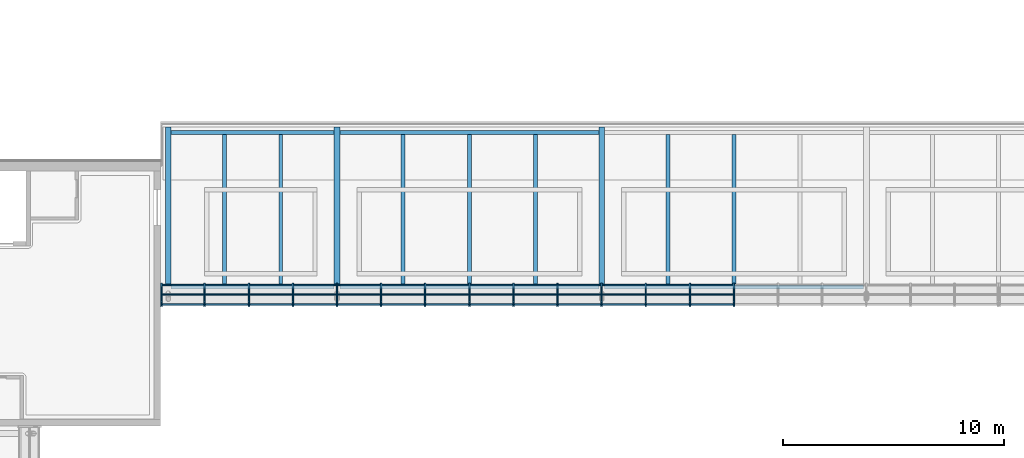
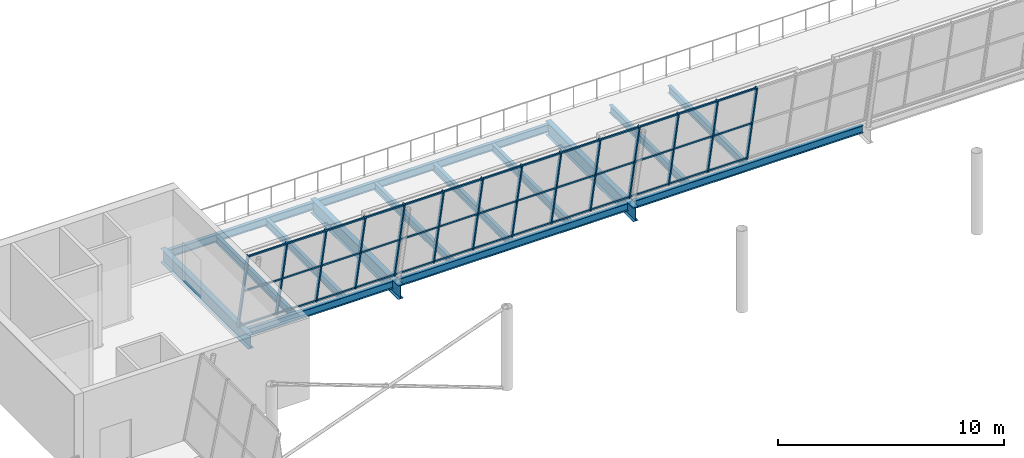
# One storey, part 19 of 58: 53 members, 15 beams, 1 element without a shape of its own.
"""IFC4 building model written with IfcOpenShell, lengths in metres."""

from ifc_helpers import new_model, si_unit, direction, frame, origin, origin_2d, place, context, subcontext, project, spatial, rectangle, i_section, extrude, material, layer, layer_set, material_profile, profile_set, type_object, element, aggregate, save


model = new_model("IFC4")

# Units and contexts
model_context = context("Model", 3, precision=1e-05, world=origin(), true_north=direction((0.0, 1.0)))
body_context = subcontext(model_context, "Body", "Model", "MODEL_VIEW")
ifc_project = project(units=[si_unit("LENGTHUNIT", "METRE"), si_unit("AREAUNIT", "SQUARE_METRE"), si_unit("VOLUMEUNIT", "CUBIC_METRE"), si_unit("PLANEANGLEUNIT", "RADIAN"), si_unit("MASSUNIT", "GRAM", prefix="KILO")], contexts=[model_context])

# Site, building, storey
site_placement = place(None, origin())
site = spatial("IfcSite", under=ifc_project, at=site_placement, CompositionType="ELEMENT")
building_placement = place(site_placement, origin())
building = spatial("IfcBuilding", under=site, at=building_placement, Name="Windward Yard Aquatics Centre", CompositionType="ELEMENT")
storey_placement = place(building_placement, frame((0.0, 0.0, 13.800048828125)))
storey = spatial("IfcBuildingStorey", under=building, at=storey_placement, Name="L03", CompositionType="ELEMENT", Elevation=13.800048828125)

# Curtain wall, members
ifc_material_1 = material(Name="Glass and aluminium curtain wall", Category="aluminium")
ifc_layer = layer(ifc_material_1, 0.179931640625)
ifc_layer_set = layer_set([ifc_layer], Name="H curtain wall tier 2 double glazed 6+16+6")
curtain_wall_type = type_object("IfcCurtainWallType", Name="H curtain wall tier 2 double glazed 6+16+6", PredefinedType="NOTDEFINED", material=ifc_layer_set)
curtain_wall_placement = place(storey_placement, origin())
curtain_wall = element("IfcCurtainWall", 1, at=curtain_wall_placement, inside=storey, type_object=curtain_wall_type, Name="Tier 2 glazing N L03", PredefinedType="NOTDEFINED")
ifc_material_2 = material(Name="Aluminium 6063-T6 anodised", Category="aluminium")
ifc_material_profile_1 = material_profile(ifc_material_2, rectangle(XDim=0.06494140625, YDim=0.179931640625, at=origin_2d()), Name="H CW mullion 65x180")
ifc_profile_set_1 = profile_set([ifc_material_profile_1], Name="Aluminium 6063-T6 anodised")
member_type_1 = type_object("IfcMemberType", Name="H CW mullion 65x180", PredefinedType="MULLION", material=ifc_profile_set_1)
member_1_placement = place(storey_placement, frame((64.032470703125, 90.38623046875, 0.017822265625), z_axis=(0.0, -0.199327811945, 0.979932866775), x_axis=(1.0, 0.0, 0.0)))
member_1 = element("IfcMember", 2, at=member_1_placement, type_object=member_type_1, Name="G2NA mullion 1", PredefinedType="MULLION", context=body_context, shape_type="SweptSolid", body=[
    extrude(rectangle(XDim=0.06494140625, YDim=0.179931640625, at=origin_2d()), origin(), (0.0, 0.0, 1.0), 4.471923828125),
])
member_2_placement = place(storey_placement, frame((65.999755859375, 90.38623046875, 0.017822265625), z_axis=(0.0, -0.199327811945, 0.979932866775), x_axis=(1.0, 0.0, 0.0)))
member_2 = element("IfcMember", 3, at=member_2_placement, type_object=member_type_1, Name="G2NA mullion 2", PredefinedType="MULLION", context=body_context, shape_type="SweptSolid", body=[
    extrude(rectangle(XDim=0.06494140625, YDim=0.179931640625, at=origin_2d()), origin(), (0.0, 0.0, 1.0), 4.471923828125),
])
member_3_placement = place(storey_placement, frame((67.99951171875, 90.38623046875, 0.017822265625), z_axis=(0.0, -0.199327811945, 0.979932866775), x_axis=(1.0, 0.0, 0.0)))
member_3 = element("IfcMember", 4, at=member_3_placement, type_object=member_type_1, Name="G2NA mullion 3", PredefinedType="MULLION", context=body_context, shape_type="SweptSolid", body=[
    extrude(rectangle(XDim=0.06494140625, YDim=0.179931640625, at=origin_2d()), origin(), (0.0, 0.0, 1.0), 4.471923828125),
])
member_4_placement = place(storey_placement, frame((69.999267578125, 90.38623046875, 0.017822265625), z_axis=(0.0, -0.199327811945, 0.979932866775), x_axis=(1.0, 0.0, 0.0)))
member_4 = element("IfcMember", 5, at=member_4_placement, type_object=member_type_1, Name="G2NA mullion 4", PredefinedType="MULLION", context=body_context, shape_type="SweptSolid", body=[
    extrude(rectangle(XDim=0.06494140625, YDim=0.179931640625, at=origin_2d()), origin(), (0.0, 0.0, 1.0), 4.471923828125),
])
member_5_placement = place(storey_placement, frame((71.9990234375, 90.38623046875, 0.017822265625), z_axis=(0.0, -0.199327811945, 0.979932866775), x_axis=(1.0, 0.0, 0.0)))
member_5 = element("IfcMember", 6, at=member_5_placement, type_object=member_type_1, Name="G2NA mullion 5", PredefinedType="MULLION", context=body_context, shape_type="SweptSolid", body=[
    extrude(rectangle(XDim=0.06494140625, YDim=0.179931640625, at=origin_2d()), origin(), (0.0, 0.0, 1.0), 4.471923828125),
])
member_6_placement = place(storey_placement, frame((73.998779296875, 90.38623046875, 0.017822265625), z_axis=(0.0, -0.199327811945, 0.979932866775), x_axis=(1.0, 0.0, 0.0)))
member_6 = element("IfcMember", 7, at=member_6_placement, type_object=member_type_1, Name="G2NA mullion 6", PredefinedType="MULLION", context=body_context, shape_type="SweptSolid", body=[
    extrude(rectangle(XDim=0.06494140625, YDim=0.179931640625, at=origin_2d()), origin(), (0.0, 0.0, 1.0), 4.471923828125),
])
member_7_placement = place(storey_placement, frame((75.99853515625, 90.38623046875, 0.017822265625), z_axis=(0.0, -0.199327811945, 0.979932866775), x_axis=(1.0, 0.0, 0.0)))
member_7 = element("IfcMember", 8, at=member_7_placement, type_object=member_type_1, Name="G2NA mullion 7", PredefinedType="MULLION", context=body_context, shape_type="SweptSolid", body=[
    extrude(rectangle(XDim=0.06494140625, YDim=0.179931640625, at=origin_2d()), origin(), (0.0, 0.0, 1.0), 4.471923828125),
])
member_8_placement = place(storey_placement, frame((77.998046875, 90.38623046875, 0.017822265625), z_axis=(0.0, -0.199327811945, 0.979932866775), x_axis=(1.0, 0.0, 0.0)))
member_8 = element("IfcMember", 9, at=member_8_placement, type_object=member_type_1, Name="G2NA mullion 8", PredefinedType="MULLION", context=body_context, shape_type="SweptSolid", body=[
    extrude(rectangle(XDim=0.06494140625, YDim=0.179931640625, at=origin_2d()), origin(), (0.0, 0.0, 1.0), 4.471923828125),
])
member_9_placement = place(storey_placement, frame((79.997802734375, 90.38623046875, 0.017822265625), z_axis=(0.0, -0.199327811945, 0.979932866775), x_axis=(1.0, 0.0, 0.0)))
member_9 = element("IfcMember", 10, at=member_9_placement, type_object=member_type_1, Name="G2NA mullion 9", PredefinedType="MULLION", context=body_context, shape_type="SweptSolid", body=[
    extrude(rectangle(XDim=0.06494140625, YDim=0.179931640625, at=origin_2d()), origin(), (0.0, 0.0, 1.0), 4.471923828125),
])
member_10_placement = place(storey_placement, frame((81.99755859375, 90.38623046875, 0.017822265625), z_axis=(0.0, -0.199327811945, 0.979932866775), x_axis=(1.0, 0.0, 0.0)))
member_10 = element("IfcMember", 11, at=member_10_placement, type_object=member_type_1, Name="G2NA mullion 10", PredefinedType="MULLION", context=body_context, shape_type="SweptSolid", body=[
    extrude(rectangle(XDim=0.06494140625, YDim=0.179931640625, at=origin_2d()), origin(), (0.0, 0.0, 1.0), 4.471923828125),
])
member_11_placement = place(storey_placement, frame((83.997314453125, 90.38623046875, 0.017822265625), z_axis=(0.0, -0.199327811945, 0.979932866775), x_axis=(1.0, 0.0, 0.0)))
member_11 = element("IfcMember", 12, at=member_11_placement, type_object=member_type_1, Name="G2NA mullion 11", PredefinedType="MULLION", context=body_context, shape_type="SweptSolid", body=[
    extrude(rectangle(XDim=0.06494140625, YDim=0.179931640625, at=origin_2d()), origin(), (0.0, 0.0, 1.0), 4.471923828125),
])
member_12_placement = place(storey_placement, frame((85.9970703125, 90.38623046875, 0.017822265625), z_axis=(0.0, -0.199327811945, 0.979932866775), x_axis=(1.0, 0.0, 0.0)))
member_12 = element("IfcMember", 13, at=member_12_placement, type_object=member_type_1, Name="G2NA mullion 12", PredefinedType="MULLION", context=body_context, shape_type="SweptSolid", body=[
    extrude(rectangle(XDim=0.06494140625, YDim=0.179931640625, at=origin_2d()), origin(), (0.0, 0.0, 1.0), 4.471923828125),
])
member_13_placement = place(storey_placement, frame((87.996826171875, 90.38623046875, 0.017822265625), z_axis=(0.0, -0.199327811945, 0.979932866775), x_axis=(1.0, 0.0, 0.0)))
member_13 = element("IfcMember", 14, at=member_13_placement, type_object=member_type_1, Name="G2NA mullion 13", PredefinedType="MULLION", context=body_context, shape_type="SweptSolid", body=[
    extrude(rectangle(XDim=0.06494140625, YDim=0.179931640625, at=origin_2d()), origin(), (0.0, 0.0, 1.0), 4.471923828125),
])
member_14_placement = place(storey_placement, frame((89.99658203125, 90.38623046875, 0.017822265625), z_axis=(0.0, -0.199327811945, 0.979932866775), x_axis=(1.0, 0.0, 0.0)))
member_14 = element("IfcMember", 15, at=member_14_placement, type_object=member_type_1, Name="G2NA mullion 14", PredefinedType="MULLION", context=body_context, shape_type="SweptSolid", body=[
    extrude(rectangle(XDim=0.06494140625, YDim=0.179931640625, at=origin_2d()), origin(), (0.0, 0.0, 1.0), 4.471923828125),
])
ifc_material_profile_2 = material_profile(ifc_material_2, rectangle(XDim=0.06494140625, YDim=0.10009765625, at=origin_2d()), Name="H CW transom 65x100")
ifc_profile_set_2 = profile_set([ifc_material_profile_2], Name="Aluminium 6063-T6 anodised")
member_type_2 = type_object("IfcMemberType", Name="H CW transom 65x100", PredefinedType="USERDEFINED", material=ifc_profile_set_2)
member_15_placement = place(storey_placement, frame((64.06494140625, 90.378662109375, 0.055419921875), z_axis=(1.0, 0.0, 0.0), x_axis=(0.0, 0.979924704642, 0.199367934315)))
member_15 = element("IfcMember", 16, at=member_15_placement, type_object=member_type_2, Name="G2NA transom 1.1", ObjectType="TRANSOM", PredefinedType="USERDEFINED", context=body_context, shape_type="SweptSolid", body=[
    extrude(rectangle(XDim=0.06494140625, YDim=0.10009765625, at=origin_2d()), origin(), (0.0, 0.0, 1.0), 1.90234375),
])
member_16_placement = place(storey_placement, frame((64.06494140625, 89.9423828125, 2.199951171875), z_axis=(1.0, 0.0, 0.0), x_axis=(0.0, 0.979924704642, 0.199367934315)))
member_16 = element("IfcMember", 17, at=member_16_placement, type_object=member_type_2, Name="G2NA transom 1.2", ObjectType="TRANSOM", PredefinedType="USERDEFINED", context=body_context, shape_type="SweptSolid", body=[
    extrude(rectangle(XDim=0.06494140625, YDim=0.10009765625, at=origin_2d()), origin(), (0.0, 0.0, 1.0), 1.90234375),
])
member_17_placement = place(storey_placement, frame((64.06494140625, 89.5048828125, 4.35107421875), z_axis=(1.0, 0.0, 0.0), x_axis=(0.0, 0.979924704642, 0.199367934315)))
member_17 = element("IfcMember", 18, at=member_17_placement, type_object=member_type_2, Name="G2NA transom 1.3", ObjectType="TRANSOM", PredefinedType="USERDEFINED", context=body_context, shape_type="SweptSolid", body=[
    extrude(rectangle(XDim=0.06494140625, YDim=0.10009765625, at=origin_2d()), origin(), (0.0, 0.0, 1.0), 1.90234375),
])
member_18_placement = place(storey_placement, frame((66.0322265625, 90.378662109375, 0.055419921875), z_axis=(1.0, 0.0, 0.0), x_axis=(0.0, 0.979924704642, 0.199367934315)))
member_18 = element("IfcMember", 19, at=member_18_placement, type_object=member_type_2, Name="G2NA transom 2.1", ObjectType="TRANSOM", PredefinedType="USERDEFINED", context=body_context, shape_type="SweptSolid", body=[
    extrude(rectangle(XDim=0.06494140625, YDim=0.10009765625, at=origin_2d()), origin(), (0.0, 0.0, 1.0), 1.934814453125),
])
member_19_placement = place(storey_placement, frame((66.0322265625, 89.9423828125, 2.199951171875), z_axis=(1.0, 0.0, 0.0), x_axis=(0.0, 0.979924704642, 0.199367934315)))
member_19 = element("IfcMember", 20, at=member_19_placement, type_object=member_type_2, Name="G2NA transom 2.2", ObjectType="TRANSOM", PredefinedType="USERDEFINED", context=body_context, shape_type="SweptSolid", body=[
    extrude(rectangle(XDim=0.06494140625, YDim=0.10009765625, at=origin_2d()), origin(), (0.0, 0.0, 1.0), 1.934814453125),
])
member_20_placement = place(storey_placement, frame((66.0322265625, 89.5048828125, 4.35107421875), z_axis=(1.0, 0.0, 0.0), x_axis=(0.0, 0.979924704642, 0.199367934315)))
member_20 = element("IfcMember", 21, at=member_20_placement, type_object=member_type_2, Name="G2NA transom 2.3", ObjectType="TRANSOM", PredefinedType="USERDEFINED", context=body_context, shape_type="SweptSolid", body=[
    extrude(rectangle(XDim=0.06494140625, YDim=0.10009765625, at=origin_2d()), origin(), (0.0, 0.0, 1.0), 1.934814453125),
])
member_21_placement = place(storey_placement, frame((68.031982421875, 90.378662109375, 0.055419921875), z_axis=(1.0, 0.0, 0.0), x_axis=(0.0, 0.979924704642, 0.199367934315)))
member_21 = element("IfcMember", 22, at=member_21_placement, type_object=member_type_2, Name="G2NA transom 3.1", ObjectType="TRANSOM", PredefinedType="USERDEFINED", context=body_context, shape_type="SweptSolid", body=[
    extrude(rectangle(XDim=0.06494140625, YDim=0.10009765625, at=origin_2d()), origin(), (0.0, 0.0, 1.0), 1.934814453125),
])
member_22_placement = place(storey_placement, frame((68.031982421875, 89.9423828125, 2.199951171875), z_axis=(1.0, 0.0, 0.0), x_axis=(0.0, 0.979924704642, 0.199367934315)))
member_22 = element("IfcMember", 23, at=member_22_placement, type_object=member_type_2, Name="G2NA transom 3.2", ObjectType="TRANSOM", PredefinedType="USERDEFINED", context=body_context, shape_type="SweptSolid", body=[
    extrude(rectangle(XDim=0.06494140625, YDim=0.10009765625, at=origin_2d()), origin(), (0.0, 0.0, 1.0), 1.934814453125),
])
member_23_placement = place(storey_placement, frame((68.031982421875, 89.5048828125, 4.35107421875), z_axis=(1.0, 0.0, 0.0), x_axis=(0.0, 0.979924704642, 0.199367934315)))
member_23 = element("IfcMember", 24, at=member_23_placement, type_object=member_type_2, Name="G2NA transom 3.3", ObjectType="TRANSOM", PredefinedType="USERDEFINED", context=body_context, shape_type="SweptSolid", body=[
    extrude(rectangle(XDim=0.06494140625, YDim=0.10009765625, at=origin_2d()), origin(), (0.0, 0.0, 1.0), 1.934814453125),
])
member_24_placement = place(storey_placement, frame((70.03173828125, 90.378662109375, 0.055419921875), z_axis=(1.0, 0.0, 0.0), x_axis=(0.0, 0.979924704642, 0.199367934315)))
member_24 = element("IfcMember", 25, at=member_24_placement, type_object=member_type_2, Name="G2NA transom 4.1", ObjectType="TRANSOM", PredefinedType="USERDEFINED", context=body_context, shape_type="SweptSolid", body=[
    extrude(rectangle(XDim=0.06494140625, YDim=0.10009765625, at=origin_2d()), origin(), (0.0, 0.0, 1.0), 1.934814453125),
])
member_25_placement = place(storey_placement, frame((70.03173828125, 89.9423828125, 2.199951171875), z_axis=(1.0, 0.0, 0.0), x_axis=(0.0, 0.979924704642, 0.199367934315)))
member_25 = element("IfcMember", 26, at=member_25_placement, type_object=member_type_2, Name="G2NA transom 4.2", ObjectType="TRANSOM", PredefinedType="USERDEFINED", context=body_context, shape_type="SweptSolid", body=[
    extrude(rectangle(XDim=0.06494140625, YDim=0.10009765625, at=origin_2d()), origin(), (0.0, 0.0, 1.0), 1.934814453125),
])
member_26_placement = place(storey_placement, frame((70.03173828125, 89.5048828125, 4.35107421875), z_axis=(1.0, 0.0, 0.0), x_axis=(0.0, 0.979924704642, 0.199367934315)))
member_26 = element("IfcMember", 27, at=member_26_placement, type_object=member_type_2, Name="G2NA transom 4.3", ObjectType="TRANSOM", PredefinedType="USERDEFINED", context=body_context, shape_type="SweptSolid", body=[
    extrude(rectangle(XDim=0.06494140625, YDim=0.10009765625, at=origin_2d()), origin(), (0.0, 0.0, 1.0), 1.934814453125),
])
member_27_placement = place(storey_placement, frame((72.031494140625, 90.378662109375, 0.055419921875), z_axis=(1.0, 0.0, 0.0), x_axis=(0.0, 0.979924704642, 0.199367934315)))
member_27 = element("IfcMember", 28, at=member_27_placement, type_object=member_type_2, Name="G2NA transom 5.1", ObjectType="TRANSOM", PredefinedType="USERDEFINED", context=body_context, shape_type="SweptSolid", body=[
    extrude(rectangle(XDim=0.06494140625, YDim=0.10009765625, at=origin_2d()), origin(), (0.0, 0.0, 1.0), 1.9345703125),
])
member_28_placement = place(storey_placement, frame((72.031494140625, 89.9423828125, 2.199951171875), z_axis=(1.0, 0.0, 0.0), x_axis=(0.0, 0.979924704642, 0.199367934315)))
member_28 = element("IfcMember", 29, at=member_28_placement, type_object=member_type_2, Name="G2NA transom 5.2", ObjectType="TRANSOM", PredefinedType="USERDEFINED", context=body_context, shape_type="SweptSolid", body=[
    extrude(rectangle(XDim=0.06494140625, YDim=0.10009765625, at=origin_2d()), origin(), (0.0, 0.0, 1.0), 1.9345703125),
])
member_29_placement = place(storey_placement, frame((72.031494140625, 89.5048828125, 4.35107421875), z_axis=(1.0, 0.0, 0.0), x_axis=(0.0, 0.979924704642, 0.199367934315)))
member_29 = element("IfcMember", 30, at=member_29_placement, type_object=member_type_2, Name="G2NA transom 5.3", ObjectType="TRANSOM", PredefinedType="USERDEFINED", context=body_context, shape_type="SweptSolid", body=[
    extrude(rectangle(XDim=0.06494140625, YDim=0.10009765625, at=origin_2d()), origin(), (0.0, 0.0, 1.0), 1.9345703125),
])
member_30_placement = place(storey_placement, frame((74.03125, 90.378662109375, 0.055419921875), z_axis=(1.0, 0.0, 0.0), x_axis=(0.0, 0.979924704642, 0.199367934315)))
member_30 = element("IfcMember", 31, at=member_30_placement, type_object=member_type_2, Name="G2NA transom 6.1", ObjectType="TRANSOM", PredefinedType="USERDEFINED", context=body_context, shape_type="SweptSolid", body=[
    extrude(rectangle(XDim=0.06494140625, YDim=0.10009765625, at=origin_2d()), origin(), (0.0, 0.0, 1.0), 1.9345703125),
])
member_31_placement = place(storey_placement, frame((74.03125, 89.9423828125, 2.199951171875), z_axis=(1.0, 0.0, 0.0), x_axis=(0.0, 0.979924704642, 0.199367934315)))
member_31 = element("IfcMember", 32, at=member_31_placement, type_object=member_type_2, Name="G2NA transom 6.2", ObjectType="TRANSOM", PredefinedType="USERDEFINED", context=body_context, shape_type="SweptSolid", body=[
    extrude(rectangle(XDim=0.06494140625, YDim=0.10009765625, at=origin_2d()), origin(), (0.0, 0.0, 1.0), 1.9345703125),
])
member_32_placement = place(storey_placement, frame((74.03125, 89.5048828125, 4.35107421875), z_axis=(1.0, 0.0, 0.0), x_axis=(0.0, 0.979924704642, 0.199367934315)))
member_32 = element("IfcMember", 33, at=member_32_placement, type_object=member_type_2, Name="G2NA transom 6.3", ObjectType="TRANSOM", PredefinedType="USERDEFINED", context=body_context, shape_type="SweptSolid", body=[
    extrude(rectangle(XDim=0.06494140625, YDim=0.10009765625, at=origin_2d()), origin(), (0.0, 0.0, 1.0), 1.9345703125),
])
member_33_placement = place(storey_placement, frame((76.031005859375, 90.378662109375, 0.055419921875), z_axis=(1.0, 0.0, 0.0), x_axis=(0.0, 0.979924704642, 0.199367934315)))
member_33 = element("IfcMember", 34, at=member_33_placement, type_object=member_type_2, Name="G2NA transom 7.1", ObjectType="TRANSOM", PredefinedType="USERDEFINED", context=body_context, shape_type="SweptSolid", body=[
    extrude(rectangle(XDim=0.06494140625, YDim=0.10009765625, at=origin_2d()), origin(), (0.0, 0.0, 1.0), 1.9345703125),
])
member_34_placement = place(storey_placement, frame((76.031005859375, 89.9423828125, 2.199951171875), z_axis=(1.0, 0.0, 0.0), x_axis=(0.0, 0.979924704642, 0.199367934315)))
member_34 = element("IfcMember", 35, at=member_34_placement, type_object=member_type_2, Name="G2NA transom 7.2", ObjectType="TRANSOM", PredefinedType="USERDEFINED", context=body_context, shape_type="SweptSolid", body=[
    extrude(rectangle(XDim=0.06494140625, YDim=0.10009765625, at=origin_2d()), origin(), (0.0, 0.0, 1.0), 1.9345703125),
])
member_35_placement = place(storey_placement, frame((76.031005859375, 89.5048828125, 4.35107421875), z_axis=(1.0, 0.0, 0.0), x_axis=(0.0, 0.979924704642, 0.199367934315)))
member_35 = element("IfcMember", 36, at=member_35_placement, type_object=member_type_2, Name="G2NA transom 7.3", ObjectType="TRANSOM", PredefinedType="USERDEFINED", context=body_context, shape_type="SweptSolid", body=[
    extrude(rectangle(XDim=0.06494140625, YDim=0.10009765625, at=origin_2d()), origin(), (0.0, 0.0, 1.0), 1.9345703125),
])
member_36_placement = place(storey_placement, frame((78.03076171875, 90.378662109375, 0.055419921875), z_axis=(1.0, 0.0, 0.0), x_axis=(0.0, 0.979924704642, 0.199367934315)))
member_36 = element("IfcMember", 37, at=member_36_placement, type_object=member_type_2, Name="G2NA transom 8.1", ObjectType="TRANSOM", PredefinedType="USERDEFINED", context=body_context, shape_type="SweptSolid", body=[
    extrude(rectangle(XDim=0.06494140625, YDim=0.10009765625, at=origin_2d()), origin(), (0.0, 0.0, 1.0), 1.9345703125),
])
member_37_placement = place(storey_placement, frame((78.03076171875, 89.9423828125, 2.199951171875), z_axis=(1.0, 0.0, 0.0), x_axis=(0.0, 0.979924704642, 0.199367934315)))
member_37 = element("IfcMember", 38, at=member_37_placement, type_object=member_type_2, Name="G2NA transom 8.2", ObjectType="TRANSOM", PredefinedType="USERDEFINED", context=body_context, shape_type="SweptSolid", body=[
    extrude(rectangle(XDim=0.06494140625, YDim=0.10009765625, at=origin_2d()), origin(), (0.0, 0.0, 1.0), 1.9345703125),
])
member_38_placement = place(storey_placement, frame((78.03076171875, 89.5048828125, 4.35107421875), z_axis=(1.0, 0.0, 0.0), x_axis=(0.0, 0.979924704642, 0.199367934315)))
member_38 = element("IfcMember", 39, at=member_38_placement, type_object=member_type_2, Name="G2NA transom 8.3", ObjectType="TRANSOM", PredefinedType="USERDEFINED", context=body_context, shape_type="SweptSolid", body=[
    extrude(rectangle(XDim=0.06494140625, YDim=0.10009765625, at=origin_2d()), origin(), (0.0, 0.0, 1.0), 1.9345703125),
])
member_39_placement = place(storey_placement, frame((80.0302734375, 90.378662109375, 0.055419921875), z_axis=(1.0, 0.0, 0.0), x_axis=(0.0, 0.979924704642, 0.199367934315)))
member_39 = element("IfcMember", 40, at=member_39_placement, type_object=member_type_2, Name="G2NA transom 9.1", ObjectType="TRANSOM", PredefinedType="USERDEFINED", context=body_context, shape_type="SweptSolid", body=[
    extrude(rectangle(XDim=0.06494140625, YDim=0.10009765625, at=origin_2d()), origin(), (0.0, 0.0, 1.0), 1.934814453125),
])
member_40_placement = place(storey_placement, frame((80.0302734375, 89.9423828125, 2.199951171875), z_axis=(1.0, 0.0, 0.0), x_axis=(0.0, 0.979924704642, 0.199367934315)))
member_40 = element("IfcMember", 41, at=member_40_placement, type_object=member_type_2, Name="G2NA transom 9.2", ObjectType="TRANSOM", PredefinedType="USERDEFINED", context=body_context, shape_type="SweptSolid", body=[
    extrude(rectangle(XDim=0.06494140625, YDim=0.10009765625, at=origin_2d()), origin(), (0.0, 0.0, 1.0), 1.934814453125),
])
member_41_placement = place(storey_placement, frame((80.0302734375, 89.5048828125, 4.35107421875), z_axis=(1.0, 0.0, 0.0), x_axis=(0.0, 0.979924704642, 0.199367934315)))
member_41 = element("IfcMember", 42, at=member_41_placement, type_object=member_type_2, Name="G2NA transom 9.3", ObjectType="TRANSOM", PredefinedType="USERDEFINED", context=body_context, shape_type="SweptSolid", body=[
    extrude(rectangle(XDim=0.06494140625, YDim=0.10009765625, at=origin_2d()), origin(), (0.0, 0.0, 1.0), 1.934814453125),
])
member_42_placement = place(storey_placement, frame((82.030029296875, 90.378662109375, 0.055419921875), z_axis=(1.0, 0.0, 0.0), x_axis=(0.0, 0.979924704642, 0.199367934315)))
member_42 = element("IfcMember", 43, at=member_42_placement, type_object=member_type_2, Name="G2NA transom 10.1", ObjectType="TRANSOM", PredefinedType="USERDEFINED", context=body_context, shape_type="SweptSolid", body=[
    extrude(rectangle(XDim=0.06494140625, YDim=0.10009765625, at=origin_2d()), origin(), (0.0, 0.0, 1.0), 1.934814453125),
])
member_43_placement = place(storey_placement, frame((82.030029296875, 89.9423828125, 2.199951171875), z_axis=(1.0, 0.0, 0.0), x_axis=(0.0, 0.979924704642, 0.199367934315)))
member_43 = element("IfcMember", 44, at=member_43_placement, type_object=member_type_2, Name="G2NA transom 10.2", ObjectType="TRANSOM", PredefinedType="USERDEFINED", context=body_context, shape_type="SweptSolid", body=[
    extrude(rectangle(XDim=0.06494140625, YDim=0.10009765625, at=origin_2d()), origin(), (0.0, 0.0, 1.0), 1.934814453125),
])
member_44_placement = place(storey_placement, frame((82.030029296875, 89.5048828125, 4.35107421875), z_axis=(1.0, 0.0, 0.0), x_axis=(0.0, 0.979924704642, 0.199367934315)))
member_44 = element("IfcMember", 45, at=member_44_placement, type_object=member_type_2, Name="G2NA transom 10.3", ObjectType="TRANSOM", PredefinedType="USERDEFINED", context=body_context, shape_type="SweptSolid", body=[
    extrude(rectangle(XDim=0.06494140625, YDim=0.10009765625, at=origin_2d()), origin(), (0.0, 0.0, 1.0), 1.934814453125),
])
member_45_placement = place(storey_placement, frame((84.02978515625, 90.378662109375, 0.055419921875), z_axis=(1.0, 0.0, 0.0), x_axis=(0.0, 0.979924704642, 0.199367934315)))
member_45 = element("IfcMember", 46, at=member_45_placement, type_object=member_type_2, Name="G2NA transom 11.1", ObjectType="TRANSOM", PredefinedType="USERDEFINED", context=body_context, shape_type="SweptSolid", body=[
    extrude(rectangle(XDim=0.06494140625, YDim=0.10009765625, at=origin_2d()), origin(), (0.0, 0.0, 1.0), 1.934814453125),
])
member_46_placement = place(storey_placement, frame((84.02978515625, 89.9423828125, 2.199951171875), z_axis=(1.0, 0.0, 0.0), x_axis=(0.0, 0.979924704642, 0.199367934315)))
member_46 = element("IfcMember", 47, at=member_46_placement, type_object=member_type_2, Name="G2NA transom 11.2", ObjectType="TRANSOM", PredefinedType="USERDEFINED", context=body_context, shape_type="SweptSolid", body=[
    extrude(rectangle(XDim=0.06494140625, YDim=0.10009765625, at=origin_2d()), origin(), (0.0, 0.0, 1.0), 1.934814453125),
])
member_47_placement = place(storey_placement, frame((84.02978515625, 89.5048828125, 4.35107421875), z_axis=(1.0, 0.0, 0.0), x_axis=(0.0, 0.979924704642, 0.199367934315)))
member_47 = element("IfcMember", 48, at=member_47_placement, type_object=member_type_2, Name="G2NA transom 11.3", ObjectType="TRANSOM", PredefinedType="USERDEFINED", context=body_context, shape_type="SweptSolid", body=[
    extrude(rectangle(XDim=0.06494140625, YDim=0.10009765625, at=origin_2d()), origin(), (0.0, 0.0, 1.0), 1.934814453125),
])
member_48_placement = place(storey_placement, frame((86.029541015625, 90.378662109375, 0.055419921875), z_axis=(1.0, 0.0, 0.0), x_axis=(0.0, 0.979924704642, 0.199367934315)))
member_48 = element("IfcMember", 49, at=member_48_placement, type_object=member_type_2, Name="G2NA transom 12.1", ObjectType="TRANSOM", PredefinedType="USERDEFINED", context=body_context, shape_type="SweptSolid", body=[
    extrude(rectangle(XDim=0.06494140625, YDim=0.10009765625, at=origin_2d()), origin(), (0.0, 0.0, 1.0), 1.934814453125),
])
member_49_placement = place(storey_placement, frame((86.029541015625, 89.9423828125, 2.199951171875), z_axis=(1.0, 0.0, 0.0), x_axis=(0.0, 0.979924704642, 0.199367934315)))
member_49 = element("IfcMember", 50, at=member_49_placement, type_object=member_type_2, Name="G2NA transom 12.2", ObjectType="TRANSOM", PredefinedType="USERDEFINED", context=body_context, shape_type="SweptSolid", body=[
    extrude(rectangle(XDim=0.06494140625, YDim=0.10009765625, at=origin_2d()), origin(), (0.0, 0.0, 1.0), 1.934814453125),
])
member_50_placement = place(storey_placement, frame((86.029541015625, 89.5048828125, 4.35107421875), z_axis=(1.0, 0.0, 0.0), x_axis=(0.0, 0.979924704642, 0.199367934315)))
member_50 = element("IfcMember", 51, at=member_50_placement, type_object=member_type_2, Name="G2NA transom 12.3", ObjectType="TRANSOM", PredefinedType="USERDEFINED", context=body_context, shape_type="SweptSolid", body=[
    extrude(rectangle(XDim=0.06494140625, YDim=0.10009765625, at=origin_2d()), origin(), (0.0, 0.0, 1.0), 1.934814453125),
])
member_51_placement = place(storey_placement, frame((88.029296875, 90.378662109375, 0.055419921875), z_axis=(1.0, 0.0, 0.0), x_axis=(0.0, 0.979924704642, 0.199367934315)))
member_51 = element("IfcMember", 52, at=member_51_placement, type_object=member_type_2, Name="G2NA transom 13.1", ObjectType="TRANSOM", PredefinedType="USERDEFINED", context=body_context, shape_type="SweptSolid", body=[
    extrude(rectangle(XDim=0.06494140625, YDim=0.10009765625, at=origin_2d()), origin(), (0.0, 0.0, 1.0), 1.934814453125),
])
member_52_placement = place(storey_placement, frame((88.029296875, 89.9423828125, 2.199951171875), z_axis=(1.0, 0.0, 0.0), x_axis=(0.0, 0.979924704642, 0.199367934315)))
member_52 = element("IfcMember", 53, at=member_52_placement, type_object=member_type_2, Name="G2NA transom 13.2", ObjectType="TRANSOM", PredefinedType="USERDEFINED", context=body_context, shape_type="SweptSolid", body=[
    extrude(rectangle(XDim=0.06494140625, YDim=0.10009765625, at=origin_2d()), origin(), (0.0, 0.0, 1.0), 1.934814453125),
])
member_53_placement = place(storey_placement, frame((88.029296875, 89.5048828125, 4.35107421875), z_axis=(1.0, 0.0, 0.0), x_axis=(0.0, 0.979924704642, 0.199367934315)))
member_53 = element("IfcMember", 54, at=member_53_placement, type_object=member_type_2, Name="G2NA transom 13.3", ObjectType="TRANSOM", PredefinedType="USERDEFINED", context=body_context, shape_type="SweptSolid", body=[
    extrude(rectangle(XDim=0.06494140625, YDim=0.10009765625, at=origin_2d()), origin(), (0.0, 0.0, 1.0), 1.934814453125),
])
aggregate(curtain_wall, [member_1, member_2, member_3, member_4, member_5, member_6, member_7, member_8, member_9, member_10, member_11, member_12, member_13, member_14, member_15, member_16, member_17, member_18, member_19, member_20, member_21, member_22, member_23, member_24, member_25, member_26, member_27, member_28, member_29, member_30, member_31, member_32, member_33, member_34, member_35, member_36, member_37, member_38, member_39, member_40, member_41, member_42, member_43, member_44, member_45, member_46, member_47, member_48, member_49, member_50, member_51, member_52, member_53])

# Beams
ifc_material_3 = material(Name="Steel ASTM A992 Gr 50", Category="steel")
ifc_material_profile_3 = material_profile(ifc_material_3, i_section(OverallWidth=0.177978515625, OverallDepth=0.406005859375, WebThickness=0.0078125, FlangeThickness=0.0126953125, at=origin_2d()), Name="W410X60")
ifc_profile_set_3 = profile_set([ifc_material_profile_3], Name="Steel ASTM A992 Gr 50")
beam_type_1 = type_object("IfcBeamType", Name="H terrace secondary beam W410X60", PredefinedType="BEAM", material=ifc_profile_set_3)
for number, where, z_axis, x_axis, name in (
    (55, (64.4833984375, 97.301025390625, -0.35302734375), (1.0, 0.0, 0.0), (0.0, 1.0, 0.0), "H.T1E.N1.O"),
    (56, (64.4833984375, 90.290283203125, -0.35302734375), (1.0, 0.0, 0.0), (0.0, 1.0, 0.0), "H.T1E.N1.I"),
):
    element("IfcBeam", number, at=place(storey_placement, frame(where, z_axis=z_axis, x_axis=x_axis)), inside=storey, type_object=beam_type_1, Name=name, PredefinedType="BEAM", context=body_context, shape_type="SweptSolid", body=[
        extrude(i_section(OverallWidth=0.177978515625, OverallDepth=0.406005859375, WebThickness=0.0078125, FlangeThickness=0.0126953125, at=origin_2d()), origin(), (0.0, 0.0, 1.0), 7.383056640625),
    ])
for number, where, z_axis, x_axis, name in (
    (57, (66.89990234375, 97.2119140625, -0.35302734375), (0.0, -1.0, 0.0), (1.0, 0.0, 0.0), "H.T1S.N1.1"),
    (58, (69.449951171875, 97.2119140625, -0.35302734375), (0.0, -1.0, 0.0), (1.0, 0.0, 0.0), "H.T1S.N1.2"),
):
    element("IfcBeam", number, at=place(storey_placement, frame(where, z_axis=z_axis, x_axis=x_axis)), inside=storey, type_object=beam_type_1, Name=name, PredefinedType="BEAM", context=body_context, shape_type="SweptSolid", body=[
        extrude(i_section(OverallWidth=0.177978515625, OverallDepth=0.406005859375, WebThickness=0.0078125, FlangeThickness=0.0126953125, at=origin_2d()), origin(), (0.0, 0.0, 1.0), 6.83251953125),
    ])
for number, where, z_axis, x_axis, name in (
    (59, (72.133544921875, 97.301025390625, -0.35302734375), (1.0, 0.0, 0.0), (0.0, 1.0, 0.0), "H.T1E.N2.O"),
    (60, (72.133544921875, 90.290283203125, -0.35302734375), (1.0, 0.0, 0.0), (0.0, 1.0, 0.0), "H.T1E.N2.I"),
):
    element("IfcBeam", number, at=place(storey_placement, frame(where, z_axis=z_axis, x_axis=x_axis)), inside=storey, type_object=beam_type_1, Name=name, PredefinedType="BEAM", context=body_context, shape_type="SweptSolid", body=[
        extrude(i_section(OverallWidth=0.177978515625, OverallDepth=0.406005859375, WebThickness=0.0078125, FlangeThickness=0.0126953125, at=origin_2d()), origin(), (0.0, 0.0, 1.0), 11.73291015625),
    ])
for number, where, z_axis, x_axis, name in (
    (61, (75.0, 97.2119140625, -0.35302734375), (0.0, -1.0, 0.0), (1.0, 0.0, 0.0), "H.T1S.N2.1"),
    (62, (78.0, 97.2119140625, -0.35302734375), (0.0, -1.0, 0.0), (1.0, 0.0, 0.0), "H.T1S.N2.2"),
    (63, (81.0, 97.2119140625, -0.35302734375), (0.0, -1.0, 0.0), (1.0, 0.0, 0.0), "H.T1S.N2.3"),
):
    element("IfcBeam", number, at=place(storey_placement, frame(where, z_axis=z_axis, x_axis=x_axis)), inside=storey, type_object=beam_type_1, Name=name, PredefinedType="BEAM", context=body_context, shape_type="SweptSolid", body=[
        extrude(i_section(OverallWidth=0.177978515625, OverallDepth=0.406005859375, WebThickness=0.0078125, FlangeThickness=0.0126953125, at=origin_2d()), origin(), (0.0, 0.0, 1.0), 6.83251953125),
    ])
beam_placement = place(storey_placement, frame((84.133544921875, 90.290283203125, -0.35302734375), z_axis=(1.0, 0.0, 0.0), x_axis=(0.0, 1.0, 0.0)))
element("IfcBeam", 64, at=beam_placement, inside=storey, type_object=beam_type_1, Name="H.T1E.N3.I", PredefinedType="BEAM", context=body_context, shape_type="SweptSolid", body=[
    extrude(i_section(OverallWidth=0.177978515625, OverallDepth=0.406005859375, WebThickness=0.0078125, FlangeThickness=0.0126953125, at=origin_2d()), origin(), (0.0, 0.0, 1.0), 11.73291015625),
])
for number, where, z_axis, x_axis, name in (
    (65, (87.0, 97.2119140625, -0.35302734375), (0.0, -1.0, 0.0), (1.0, 0.0, 0.0), "H.T1S.N3.1"),
    (66, (90.0, 97.2119140625, -0.35302734375), (0.0, -1.0, 0.0), (1.0, 0.0, 0.0), "H.T1S.N3.2"),
):
    element("IfcBeam", number, at=place(storey_placement, frame(where, z_axis=z_axis, x_axis=x_axis)), inside=storey, type_object=beam_type_1, Name=name, PredefinedType="BEAM", context=body_context, shape_type="SweptSolid", body=[
        extrude(i_section(OverallWidth=0.177978515625, OverallDepth=0.406005859375, WebThickness=0.0078125, FlangeThickness=0.0126953125, at=origin_2d()), origin(), (0.0, 0.0, 1.0), 6.83251953125),
    ])
ifc_material_profile_4 = material_profile(ifc_material_3, i_section(OverallWidth=0.26708984375, OverallDepth=0.75390625, WebThickness=0.01318359375, FlangeThickness=0.01708984375, at=origin_2d()), Name="W760X147")
ifc_profile_set_4 = profile_set([ifc_material_profile_4], Name="Steel ASTM A992 Gr 50")
beam_type_2 = type_object("IfcBeamType", Name="H terrace transfer girder W760X147", PredefinedType="BEAM", material=ifc_profile_set_4)
for number, where, z_axis, x_axis, name in (
    (67, (64.35009765625, 97.551025390625, -0.527099609375), (0.0, -1.0, 0.0), (1.0, 0.0, 0.0), "H.T1B.N1"),
    (68, (72.0, 97.551025390625, -0.527099609375), (0.0, -1.0, 0.0), (1.0, 0.0, 0.0), "H.T1B.N2"),
    (69, (84.0, 97.551025390625, -0.527099609375), (0.0, -1.0, 0.0), (1.0, 0.0, 0.0), "H.T1B.N3"),
):
    element("IfcBeam", number, at=place(storey_placement, frame(where, z_axis=z_axis, x_axis=x_axis)), inside=storey, type_object=beam_type_2, Name=name, PredefinedType="BEAM", context=body_context, shape_type="SweptSolid", body=[
        extrude(i_section(OverallWidth=0.26708984375, OverallDepth=0.75390625, WebThickness=0.01318359375, FlangeThickness=0.01708984375, at=origin_2d()), origin(), (0.0, 0.0, 1.0), 7.766357421875),
    ])

save(model, "model.ifc")
